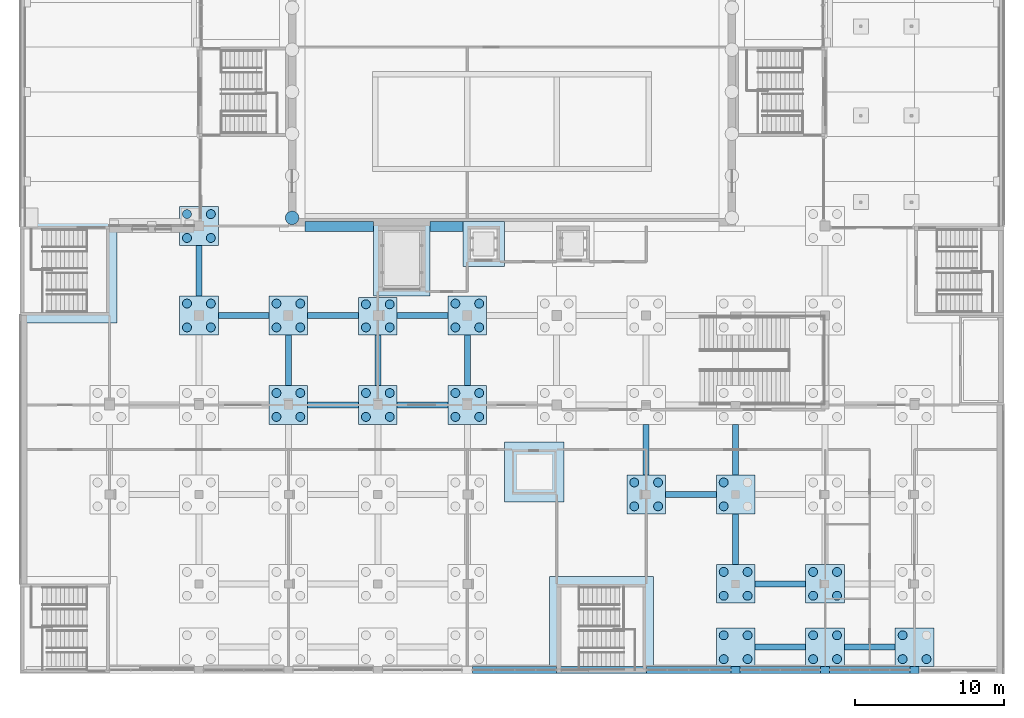
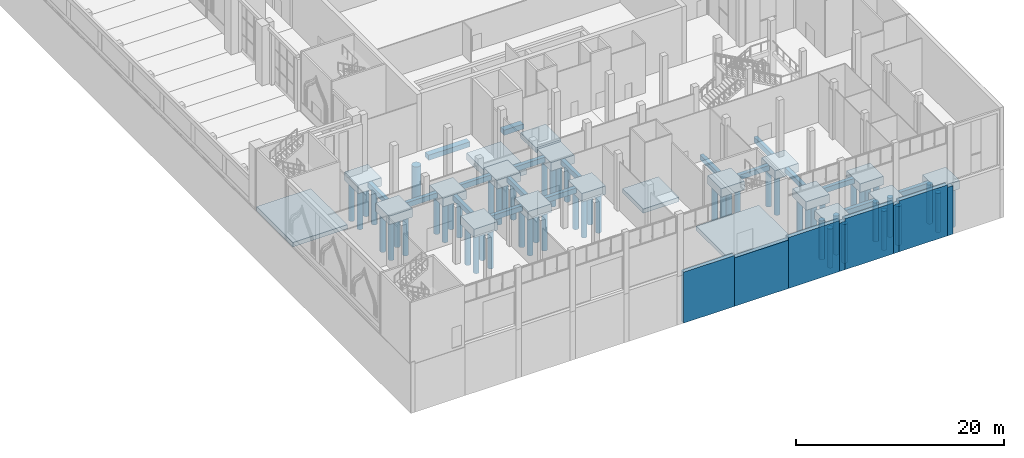
# One storey, part 2 of 95: 58 piles, 46 footings.
"""IFC4 building model written with IfcOpenShell, lengths in metres."""

from ifc_helpers import new_model, si_unit, direction, frame, origin, origin_2d, place, context, subcontext, project, spatial, polyline, circle, outline, extrude, material, material_profile, profile_set, type_object, element, save


model = new_model("IFC4")

# Units and contexts
model_context = context("Model", 3, precision=1e-05, world=origin(), true_north=direction((0.0, 1.0)))
body_context = subcontext(model_context, "Body", "Model", "MODEL_VIEW")
ifc_project = project(units=[si_unit("LENGTHUNIT", "METRE"), si_unit("AREAUNIT", "SQUARE_METRE"), si_unit("VOLUMEUNIT", "CUBIC_METRE"), si_unit("PLANEANGLEUNIT", "RADIAN"), si_unit("MASSUNIT", "GRAM", prefix="KILO")], contexts=[model_context])

# Site, building, storey
site_placement = place(None, origin())
site = spatial("IfcSite", under=ifc_project, at=site_placement, CompositionType="ELEMENT")
building_placement = place(site_placement, origin())
building = spatial("IfcBuilding", under=site, at=building_placement, Name="Saffron Lane Theatres", CompositionType="ELEMENT")
storey_placement = place(building_placement, origin())
storey = spatial("IfcBuildingStorey", under=building, at=storey_placement, Name="L00", CompositionType="ELEMENT", Elevation=0.0)

# Footings
ifc_material_1 = material(Name="Concrete N40 (40 MPa)", Category="concrete")
footing_type_1 = type_object("IfcFootingType", Name="FT-CAP 2600x2500x1000", PredefinedType="PILE_CAP", material=ifc_material_1)
footing_1_placement = place(storey_placement, frame((0.0, 0.0, -1.300048828125)))
element("IfcFooting", 1, at=footing_1_placement, inside=storey, type_object=footing_type_1, Name="foot-cap-E5", PredefinedType="PILE_CAP", context=body_context, shape_type="SweptSolid", body=[
    extrude(outline(polyline([(22.699951171875, 22.699951171875), (25.300048828125, 22.699951171875), (25.300048828125, 25.199951171875), (22.699951171875, 25.199951171875), (22.699951171875, 22.699951171875)])), origin(), (0.0, 0.0, 1.0), 1.0),
])
ifc_material_2 = material(Name="Concrete N40 (40 MPa)", Category="concrete")
footing_type_2 = type_object("IfcFootingType", Name="FT-CAP 2600x2600x1000", PredefinedType="PILE_CAP", material=ifc_material_2)
footing_2_placement = place(storey_placement, frame((0.0, 0.0, -1.300048828125)))
element("IfcFooting", 2, at=footing_2_placement, inside=storey, type_object=footing_type_2, Name="foot-cap-J1", PredefinedType="PILE_CAP", context=body_context, shape_type="SweptSolid", body=[
    extrude(outline(polyline([(46.699951171875, 0.450439453125), (49.300048828125, 0.450439453125), (49.300048828125, 3.050537109375), (46.699951171875, 3.050537109375), (46.699951171875, 0.450439453125)])), origin(), (0.0, 0.0, 1.0), 1.0),
])
footing_3_placement = place(storey_placement, frame((0.0, 0.0, -1.300048828125)))
element("IfcFooting", 3, at=footing_3_placement, inside=storey, type_object=footing_type_2, Name="foot-cap-K1", PredefinedType="PILE_CAP", context=body_context, shape_type="SweptSolid", body=[
    extrude(outline(polyline([(52.699951171875, 0.450439453125), (55.300048828125, 0.450439453125), (55.300048828125, 3.050537109375), (52.699951171875, 3.050537109375), (52.699951171875, 0.450439453125)])), origin(), (0.0, 0.0, 1.0), 1.0),
])
footing_4_placement = place(storey_placement, frame((0.0, 0.0, -1.300048828125)))
element("IfcFooting", 4, at=footing_4_placement, inside=storey, type_object=footing_type_2, Name="foot-cap-L1", PredefinedType="PILE_CAP", context=body_context, shape_type="SweptSolid", body=[
    extrude(outline(polyline([(58.699951171875, 0.450439453125), (61.300048828125, 0.450439453125), (61.300048828125, 3.050537109375), (58.699951171875, 3.050537109375), (58.699951171875, 0.450439453125)])), origin(), (0.0, 0.0, 1.0), 1.0),
])
footing_5_placement = place(storey_placement, frame((0.0, 0.0, -1.300048828125)))
element("IfcFooting", 5, at=footing_5_placement, inside=storey, type_object=footing_type_2, Name="foot-cap-J2", PredefinedType="PILE_CAP", context=body_context, shape_type="SweptSolid", body=[
    extrude(outline(polyline([(46.699951171875, 4.699951171875), (49.300048828125, 4.699951171875), (49.300048828125, 7.300048828125), (46.699951171875, 7.300048828125), (46.699951171875, 4.699951171875)])), origin(), (0.0, 0.0, 1.0), 1.0),
])
footing_6_placement = place(storey_placement, frame((0.0, 0.0, -1.300048828125)))
element("IfcFooting", 6, at=footing_6_placement, inside=storey, type_object=footing_type_2, Name="foot-cap-K2", PredefinedType="PILE_CAP", context=body_context, shape_type="SweptSolid", body=[
    extrude(outline(polyline([(52.699951171875, 4.699951171875), (55.300048828125, 4.699951171875), (55.300048828125, 7.300048828125), (52.699951171875, 7.300048828125), (52.699951171875, 4.699951171875)])), origin(), (0.0, 0.0, 1.0), 1.0),
])
footing_7_placement = place(storey_placement, frame((0.0, 0.0, -1.300048828125)))
element("IfcFooting", 7, at=footing_7_placement, inside=storey, type_object=footing_type_2, Name="foot-cap-H3", PredefinedType="PILE_CAP", context=body_context, shape_type="SweptSolid", body=[
    extrude(outline(polyline([(40.699951171875, 10.699951171875), (43.300048828125, 10.699951171875), (43.300048828125, 13.300048828125), (40.699951171875, 13.300048828125), (40.699951171875, 10.699951171875)])), origin(), (0.0, 0.0, 1.0), 1.0),
])
footing_8_placement = place(storey_placement, frame((0.0, 0.0, -1.300048828125)))
element("IfcFooting", 8, at=footing_8_placement, inside=storey, type_object=footing_type_2, Name="foot-cap-J3", PredefinedType="PILE_CAP", context=body_context, shape_type="SweptSolid", body=[
    extrude(outline(polyline([(46.699951171875, 10.699951171875), (49.300048828125, 10.699951171875), (49.300048828125, 13.300048828125), (46.699951171875, 13.300048828125), (46.699951171875, 10.699951171875)])), origin(), (0.0, 0.0, 1.0), 1.0),
])
footing_9_placement = place(storey_placement, frame((0.0, 0.0, -1.300048828125)))
element("IfcFooting", 9, at=footing_9_placement, inside=storey, type_object=footing_type_2, Name="foot-cap-D4", PredefinedType="PILE_CAP", context=body_context, shape_type="SweptSolid", body=[
    extrude(outline(polyline([(16.699951171875, 16.699951171875), (19.300048828125, 16.699951171875), (19.300048828125, 19.300048828125), (16.699951171875, 19.300048828125), (16.699951171875, 16.699951171875)])), origin(), (0.0, 0.0, 1.0), 1.0),
])
footing_10_placement = place(storey_placement, frame((0.0, 0.0, -1.300048828125)))
element("IfcFooting", 10, at=footing_10_placement, inside=storey, type_object=footing_type_2, Name="foot-cap-E4", PredefinedType="PILE_CAP", context=body_context, shape_type="SweptSolid", body=[
    extrude(outline(polyline([(22.699951171875, 16.699951171875), (25.300048828125, 16.699951171875), (25.300048828125, 19.300048828125), (22.699951171875, 19.300048828125), (22.699951171875, 16.699951171875)])), origin(), (0.0, 0.0, 1.0), 1.0),
])
footing_11_placement = place(storey_placement, frame((0.0, 0.0, -1.300048828125)))
element("IfcFooting", 11, at=footing_11_placement, inside=storey, type_object=footing_type_2, Name="foot-cap-F4", PredefinedType="PILE_CAP", context=body_context, shape_type="SweptSolid", body=[
    extrude(outline(polyline([(28.699951171875, 16.699951171875), (31.300048828125, 16.699951171875), (31.300048828125, 19.300048828125), (28.699951171875, 19.300048828125), (28.699951171875, 16.699951171875)])), origin(), (0.0, 0.0, 1.0), 1.0),
])
footing_12_placement = place(storey_placement, frame((0.0, 0.0, -1.300048828125)))
element("IfcFooting", 12, at=footing_12_placement, inside=storey, type_object=footing_type_2, Name="foot-cap-C5", PredefinedType="PILE_CAP", context=body_context, shape_type="SweptSolid", body=[
    extrude(outline(polyline([(10.699951171875, 22.699951171875), (13.300048828125, 22.699951171875), (13.300048828125, 25.300048828125), (10.699951171875, 25.300048828125), (10.699951171875, 22.699951171875)])), origin(), (0.0, 0.0, 1.0), 1.0),
])
footing_13_placement = place(storey_placement, frame((0.0, 0.0, -1.300048828125)))
element("IfcFooting", 13, at=footing_13_placement, inside=storey, type_object=footing_type_2, Name="foot-cap-D5", PredefinedType="PILE_CAP", context=body_context, shape_type="SweptSolid", body=[
    extrude(outline(polyline([(16.699951171875, 22.699951171875), (19.300048828125, 22.699951171875), (19.300048828125, 25.300048828125), (16.699951171875, 25.300048828125), (16.699951171875, 22.699951171875)])), origin(), (0.0, 0.0, 1.0), 1.0),
])
footing_14_placement = place(storey_placement, frame((0.0, 0.0, -1.300048828125)))
element("IfcFooting", 14, at=footing_14_placement, inside=storey, type_object=footing_type_2, Name="foot-cap-F5", PredefinedType="PILE_CAP", context=body_context, shape_type="SweptSolid", body=[
    extrude(outline(polyline([(28.699951171875, 22.699951171875), (31.300048828125, 22.699951171875), (31.300048828125, 25.300048828125), (28.699951171875, 25.300048828125), (28.699951171875, 22.699951171875)])), origin(), (0.0, 0.0, 1.0), 1.0),
])
footing_15_placement = place(storey_placement, frame((0.0, 0.0, -1.300048828125)))
element("IfcFooting", 15, at=footing_15_placement, inside=storey, type_object=footing_type_2, Name="foot-cap-C6", PredefinedType="PILE_CAP", context=body_context, shape_type="SweptSolid", body=[
    extrude(outline(polyline([(10.699951171875, 28.699951171875), (13.300048828125, 28.699951171875), (13.300048828125, 31.300048828125), (10.699951171875, 31.300048828125), (10.699951171875, 28.699951171875)])), origin(), (0.0, 0.0, 1.0), 1.0),
])
ifc_material_3 = material(Name="Concrete N40 (40 MPa)", Category="concrete")
footing_type_3 = type_object("IfcFootingType", Name="FT-KERB PERIMETER 450", PredefinedType="STRIP_FOOTING", material=ifc_material_3)
footing_16_placement = place(storey_placement, frame((0.0, 0.0, -6.0)))
element("IfcFooting", 16, at=footing_16_placement, inside=storey, type_object=footing_type_3, Name="Perimeter foundation wall", PredefinedType="STRIP_FOOTING", context=body_context, shape_type="SweptSolid", body=[
    extrude(outline(polyline([(30.35498046875, 0.450439453125), (30.35498046875, 0.00048828125), (35.9951171875, 0.00048828125), (35.9951171875, 0.450439453125), (30.35498046875, 0.450439453125)])), origin(), (0.0, 0.0, 1.0), 6.0),
])
footing_17_placement = place(storey_placement, frame((0.0, 0.0, -6.0)))
element("IfcFooting", 17, at=footing_17_placement, inside=storey, type_object=footing_type_3, Name="Perimeter foundation wall", PredefinedType="STRIP_FOOTING", context=body_context, shape_type="SweptSolid", body=[
    extrude(outline(polyline([(42.0048828125, 0.450439453125), (42.0048828125, 0.00048828125), (47.695068359375, 0.00048828125), (47.695068359375, 0.450439453125), (42.0048828125, 0.450439453125)])), origin(), (0.0, 0.0, 1.0), 6.0),
])
footing_18_placement = place(storey_placement, frame((0.0, 0.0, -6.0)))
element("IfcFooting", 18, at=footing_18_placement, inside=storey, type_object=footing_type_3, Name="Perimeter foundation wall", PredefinedType="STRIP_FOOTING", context=body_context, shape_type="SweptSolid", body=[
    extrude(outline(polyline([(48.304931640625, 0.450439453125), (48.304931640625, 0.00048828125), (53.695068359375, 0.00048828125), (53.695068359375, 0.450439453125), (48.304931640625, 0.450439453125)])), origin(), (0.0, 0.0, 1.0), 6.0),
])
footing_19_placement = place(storey_placement, frame((0.0, 0.0, -6.0)))
element("IfcFooting", 19, at=footing_19_placement, inside=storey, type_object=footing_type_3, Name="Perimeter foundation wall", PredefinedType="STRIP_FOOTING", context=body_context, shape_type="SweptSolid", body=[
    extrude(outline(polyline([(54.304931640625, 0.450439453125), (54.304931640625, 0.00048828125), (59.695068359375, 0.00048828125), (59.695068359375, 0.450439453125), (54.304931640625, 0.450439453125)])), origin(), (0.0, 0.0, 1.0), 6.0),
])

# Piles
ifc_material_4 = material(Name="Concrete N40 (40 MPa)", Category="concrete")
ifc_material_profile_1 = material_profile(ifc_material_4, circle(Radius=0.300048828125, at=origin_2d()))
ifc_profile_set_1 = profile_set([ifc_material_profile_1], Name="Concrete N40 (40 MPa)")
pile_type_1 = type_object("IfcPileType", Name="FT-PILE BORED 600", PredefinedType="BORED", material=ifc_profile_set_1)
for number, where, z_axis, x_axis, name in (
    (20, (47.199951171875, 0.950439453125, -1.199951171875), (0.0, 0.0, -1.0), (1.0, 0.0, 0.0), "pile-J1-1"),
    (21, (47.199951171875, 2.550537109375, -1.199951171875), (0.0, 0.0, -1.0), (1.0, 0.0, 0.0), "pile-J1-2"),
    (22, (48.800048828125, 0.950439453125, -1.199951171875), (0.0, 0.0, -1.0), (1.0, 0.0, 0.0), "pile-J1-3"),
    (23, (48.800048828125, 2.550537109375, -1.199951171875), (0.0, 0.0, -1.0), (1.0, 0.0, 0.0), "pile-J1-4"),
    (24, (53.199951171875, 0.950439453125, -1.199951171875), (0.0, 0.0, -1.0), (1.0, 0.0, 0.0), "pile-K1-1"),
    (25, (53.199951171875, 2.550537109375, -1.199951171875), (0.0, 0.0, -1.0), (1.0, 0.0, 0.0), "pile-K1-2"),
    (26, (54.800048828125, 0.950439453125, -1.199951171875), (0.0, 0.0, -1.0), (1.0, 0.0, 0.0), "pile-K1-3"),
    (27, (54.800048828125, 2.550537109375, -1.199951171875), (0.0, 0.0, -1.0), (1.0, 0.0, 0.0), "pile-K1-4"),
    (28, (59.199951171875, 0.950439453125, -1.199951171875), (0.0, 0.0, -1.0), (1.0, 0.0, 0.0), "pile-L1-1"),
    (29, (59.199951171875, 2.550537109375, -1.199951171875), (0.0, 0.0, -1.0), (1.0, 0.0, 0.0), "pile-L1-2"),
    (30, (60.800048828125, 0.950439453125, -1.199951171875), (0.0, 0.0, -1.0), (1.0, 0.0, 0.0), "pile-L1-3"),
    (31, (47.199951171875, 5.199951171875, -1.199951171875), (0.0, 0.0, -1.0), (1.0, 0.0, 0.0), "pile-J2-1"),
    (32, (47.199951171875, 6.800048828125, -1.199951171875), (0.0, 0.0, -1.0), (1.0, 0.0, 0.0), "pile-J2-2"),
    (33, (48.800048828125, 5.199951171875, -1.199951171875), (0.0, 0.0, -1.0), (1.0, 0.0, 0.0), "pile-J2-3"),
    (34, (48.800048828125, 6.800048828125, -1.199951171875), (0.0, 0.0, -1.0), (1.0, 0.0, 0.0), "pile-J2-4"),
    (35, (53.199951171875, 5.199951171875, -1.199951171875), (0.0, 0.0, -1.0), (1.0, 0.0, 0.0), "pile-K2-1"),
    (36, (53.199951171875, 6.800048828125, -1.199951171875), (0.0, 0.0, -1.0), (1.0, 0.0, 0.0), "pile-K2-2"),
    (37, (54.800048828125, 5.199951171875, -1.199951171875), (0.0, 0.0, -1.0), (1.0, 0.0, 0.0), "pile-K2-3"),
    (38, (54.800048828125, 6.800048828125, -1.199951171875), (0.0, 0.0, -1.0), (1.0, 0.0, 0.0), "pile-K2-4"),
    (39, (41.199951171875, 11.199951171875, -1.199951171875), (0.0, 0.0, -1.0), (1.0, 0.0, 0.0), "pile-H3-1"),
    (40, (41.199951171875, 12.800048828125, -1.199951171875), (0.0, 0.0, -1.0), (1.0, 0.0, 0.0), "pile-H3-2"),
    (41, (42.800048828125, 11.199951171875, -1.199951171875), (0.0, 0.0, -1.0), (1.0, 0.0, 0.0), "pile-H3-3"),
    (42, (42.800048828125, 12.800048828125, -1.199951171875), (0.0, 0.0, -1.0), (1.0, 0.0, 0.0), "pile-H3-4"),
    (43, (47.199951171875, 11.199951171875, -1.199951171875), (0.0, 0.0, -1.0), (1.0, 0.0, 0.0), "pile-J3-1"),
    (44, (47.199951171875, 12.800048828125, -1.199951171875), (0.0, 0.0, -1.0), (1.0, 0.0, 0.0), "pile-J3-2"),
    (45, (17.199951171875, 17.199951171875, -1.199951171875), (0.0, 0.0, -1.0), (1.0, 0.0, 0.0), "pile-D4-1"),
    (46, (17.199951171875, 18.800048828125, -1.199951171875), (0.0, 0.0, -1.0), (1.0, 0.0, 0.0), "pile-D4-2"),
    (47, (18.800048828125, 17.199951171875, -1.199951171875), (0.0, 0.0, -1.0), (1.0, 0.0, 0.0), "pile-D4-3"),
    (48, (18.800048828125, 18.800048828125, -1.199951171875), (0.0, 0.0, -1.0), (1.0, 0.0, 0.0), "pile-D4-4"),
    (49, (23.199951171875, 17.199951171875, -1.199951171875), (0.0, 0.0, -1.0), (1.0, 0.0, 0.0), "pile-E4-1"),
    (50, (23.199951171875, 18.800048828125, -1.199951171875), (0.0, 0.0, -1.0), (1.0, 0.0, 0.0), "pile-E4-2"),
    (51, (24.800048828125, 17.199951171875, -1.199951171875), (0.0, 0.0, -1.0), (1.0, 0.0, 0.0), "pile-E4-3"),
    (52, (24.800048828125, 18.800048828125, -1.199951171875), (0.0, 0.0, -1.0), (1.0, 0.0, 0.0), "pile-E4-4"),
    (53, (29.199951171875, 17.199951171875, -1.199951171875), (0.0, 0.0, -1.0), (1.0, 0.0, 0.0), "pile-F4-1"),
    (54, (29.199951171875, 18.800048828125, -1.199951171875), (0.0, 0.0, -1.0), (1.0, 0.0, 0.0), "pile-F4-2"),
    (55, (30.800048828125, 17.199951171875, -1.199951171875), (0.0, 0.0, -1.0), (1.0, 0.0, 0.0), "pile-F4-3"),
    (56, (30.800048828125, 18.800048828125, -1.199951171875), (0.0, 0.0, -1.0), (1.0, 0.0, 0.0), "pile-F4-4"),
    (57, (11.199951171875, 23.199951171875, -1.199951171875), (0.0, 0.0, -1.0), (1.0, 0.0, 0.0), "pile-C5-1"),
    (58, (11.199951171875, 24.800048828125, -1.199951171875), (0.0, 0.0, -1.0), (1.0, 0.0, 0.0), "pile-C5-2"),
    (59, (12.800048828125, 23.199951171875, -1.199951171875), (0.0, 0.0, -1.0), (1.0, 0.0, 0.0), "pile-C5-3"),
    (60, (12.800048828125, 24.800048828125, -1.199951171875), (0.0, 0.0, -1.0), (1.0, 0.0, 0.0), "pile-C5-4"),
    (61, (17.199951171875, 23.199951171875, -1.199951171875), (0.0, 0.0, -1.0), (1.0, 0.0, 0.0), "pile-D5-1"),
    (62, (17.199951171875, 24.800048828125, -1.199951171875), (0.0, 0.0, -1.0), (1.0, 0.0, 0.0), "pile-D5-2"),
    (63, (18.800048828125, 23.199951171875, -1.199951171875), (0.0, 0.0, -1.0), (1.0, 0.0, 0.0), "pile-D5-3"),
    (64, (18.800048828125, 24.800048828125, -1.199951171875), (0.0, 0.0, -1.0), (1.0, 0.0, 0.0), "pile-D5-4"),
    (65, (23.199951171875, 23.199951171875, -1.199951171875), (0.0, 0.0, -1.0), (1.0, 0.0, 0.0), "pile-E5-1"),
    (66, (23.199951171875, 24.75, -1.199951171875), (0.0, 0.0, -1.0), (1.0, 0.0, 0.0), "pile-E5-2"),
    (67, (24.800048828125, 23.199951171875, -1.199951171875), (0.0, 0.0, -1.0), (1.0, 0.0, 0.0), "pile-E5-3"),
    (68, (24.800048828125, 24.75, -1.199951171875), (0.0, 0.0, -1.0), (1.0, 0.0, 0.0), "pile-E5-4"),
    (69, (29.199951171875, 23.199951171875, -1.199951171875), (0.0, 0.0, -1.0), (1.0, 0.0, 0.0), "pile-F5-1"),
    (70, (29.199951171875, 24.800048828125, -1.199951171875), (0.0, 0.0, -1.0), (1.0, 0.0, 0.0), "pile-F5-2"),
    (71, (30.800048828125, 23.199951171875, -1.199951171875), (0.0, 0.0, -1.0), (1.0, 0.0, 0.0), "pile-F5-3"),
    (72, (30.800048828125, 24.800048828125, -1.199951171875), (0.0, 0.0, -1.0), (1.0, 0.0, 0.0), "pile-F5-4"),
    (73, (11.199951171875, 29.199951171875, -1.199951171875), (0.0, 0.0, -1.0), (1.0, 0.0, 0.0), "pile-C6-1"),
    (74, (11.199951171875, 30.800048828125, -1.199951171875), (0.0, 0.0, -1.0), (1.0, 0.0, 0.0), "pile-C6-2"),
    (75, (12.800048828125, 29.199951171875, -1.199951171875), (0.0, 0.0, -1.0), (1.0, 0.0, 0.0), "pile-C6-3"),
    (76, (12.800048828125, 30.800048828125, -1.199951171875), (0.0, 0.0, -1.0), (1.0, 0.0, 0.0), "pile-C6-4"),
):
    element("IfcPile", number, at=place(storey_placement, frame(where, z_axis=z_axis, x_axis=x_axis)), inside=storey, type_object=pile_type_1, Name=name, PredefinedType="BORED", context=body_context, shape_type="SweptSolid", body=[
        extrude(circle(Radius=0.300048828125, at=origin_2d()), origin(), (0.0, 0.0, 1.0), 4.60009765625),
    ])
ifc_material_5 = material(Name="Concrete N40 (40 MPa)", Category="concrete")
ifc_material_profile_2 = material_profile(ifc_material_5, circle(Radius=0.449951171875, at=origin_2d()))
ifc_profile_set_2 = profile_set([ifc_material_profile_2], Name="Concrete N40 (40 MPa)")
pile_type_2 = type_object("IfcPileType", Name="FT-PILE BORED 900", PredefinedType="BORED", material=ifc_profile_set_2)
pile_placement = place(storey_placement, frame((18.25, 30.550048828125, -1.60009765625), z_axis=(0.0, 0.0, -1.0), x_axis=(1.0, 0.0, 0.0)))
element("IfcPile", 77, at=pile_placement, inside=storey, type_object=pile_type_2, Name="pile-foot-cap-stage-W-1", PredefinedType="BORED", context=body_context, shape_type="SweptSolid", body=[
    extrude(circle(Radius=0.449951171875, at=origin_2d()), origin(), (0.0, 0.0, 1.0), 4.199951171875),
])

# Footings
ifc_material_6 = material(Name="Concrete N40 (40 MPa)", Category="concrete")
footing_type_4 = type_object("IfcFootingType", Name="FT-RAFT CORE 500", PredefinedType="PAD_FOOTING", material=ifc_material_6)
footing_20_placement = place(storey_placement, frame((0.0, 0.0, -0.800048828125)))
element("IfcFooting", 78, at=footing_20_placement, inside=storey, type_object=footing_type_4, Name="foot-raft-2", PredefinedType="PAD_FOOTING", context=body_context, shape_type="SweptSolid", body=[
    extrude(outline(polyline([(35.5, 0.450439453125), (42.5, 0.450439453125), (42.5, 6.5), (35.5, 6.5), (35.5, 0.450439453125)])), origin(), (0.0, 0.0, 1.0), 0.5),
])
footing_21_placement = place(storey_placement, frame((0.0, 0.0, -0.800048828125)))
element("IfcFooting", 79, at=footing_21_placement, inside=storey, type_object=footing_type_4, Name="foot-raft-3", PredefinedType="PAD_FOOTING", context=body_context, shape_type="SweptSolid", body=[
    extrude(outline(polyline([(32.5, 11.5), (36.5, 11.5), (36.5, 15.5), (32.5, 15.5), (32.5, 11.5)])), origin(), (0.0, 0.0, 1.0), 0.5),
])
footing_22_placement = place(storey_placement, frame((0.0, 0.0, -0.800048828125)))
element("IfcFooting", 80, at=footing_22_placement, inside=storey, type_object=footing_type_4, Name="foot-raft-6", PredefinedType="PAD_FOOTING", context=body_context, shape_type="SweptSolid", body=[
    extrude(outline(polyline([(6.5, 30.5), (0.450439453125, 30.5), (0.450439453125, 23.5), (6.5, 23.5), (6.5, 30.5)])), origin(), (0.0, 0.0, 1.0), 0.5),
])
ifc_material_7 = material(Name="Concrete N40 (40 MPa)", Category="concrete")
footing_type_5 = type_object("IfcFootingType", Name="FT-RAFT PIT 600", PredefinedType="PAD_FOOTING", material=ifc_material_7)
footing_23_placement = place(storey_placement, frame((0.0, 0.0, -2.300048828125)))
element("IfcFooting", 81, at=footing_23_placement, inside=storey, type_object=footing_type_5, Name="foot-pit-LC5", PredefinedType="PAD_FOOTING", context=body_context, shape_type="SweptSolid", body=[
    extrude(outline(polyline([(29.699951171875, 30.300048828125), (29.699951171875, 27.300048828125), (32.5, 27.300048828125), (32.5, 30.300048828125), (29.699951171875, 30.300048828125)])), origin(), (0.0, 0.0, 1.0), 0.60009765625),
])
ifc_material_8 = material(Name="Concrete N40 (40 MPa)", Category="concrete")
footing_type_6 = type_object("IfcFootingType", Name="FT-RAFT PIT 800", PredefinedType="PAD_FOOTING", material=ifc_material_8)
footing_24_placement = place(storey_placement, frame((0.0, 0.0, -2.800048828125)))
element("IfcFooting", 82, at=footing_24_placement, inside=storey, type_object=footing_type_6, Name="foot-pit-LG1", PredefinedType="PAD_FOOTING", context=body_context, shape_type="SweptSolid", body=[
    extrude(outline(polyline([(23.699951171875, 30.300048828125), (23.699951171875, 25.300048828125), (27.5, 25.300048828125), (27.5, 30.300048828125), (23.699951171875, 30.300048828125)])), origin(), (0.0, 0.0, 1.0), 0.800048828125),
])
ifc_material_9 = material(Name="Concrete N40 (40 MPa)", Category="concrete")
footing_type_7 = type_object("IfcFootingType", Name="FT-STRIP 1200x600", PredefinedType="STRIP_FOOTING", material=ifc_material_9)
footing_25_placement = place(storey_placement, frame((0.0, 0.0, -0.89990234375)))
element("IfcFooting", 83, at=footing_25_placement, inside=storey, type_object=footing_type_7, Name="foot-strip-back-3", PredefinedType="STRIP_FOOTING", context=body_context, shape_type="SweptSolid", body=[
    extrude(outline(polyline([(27.5, 29.64990234375), (29.699951171875, 29.64990234375), (29.699951171875, 30.300048828125), (27.5, 30.300048828125), (27.5, 29.64990234375)])), origin(), (0.0, 0.0, 1.0), 0.599853515625),
])
footing_26_placement = place(storey_placement, frame((0.0, 0.0, -0.89990234375)))
element("IfcFooting", 84, at=footing_26_placement, inside=storey, type_object=footing_type_7, Name="foot-strip-back-4", PredefinedType="STRIP_FOOTING", context=body_context, shape_type="SweptSolid", body=[
    extrude(outline(polyline([(19.10009765625, 29.64990234375), (23.699951171875, 29.64990234375), (23.699951171875, 30.300048828125), (19.10009765625, 30.300048828125), (19.10009765625, 29.64990234375)])), origin(), (0.0, 0.0, 1.0), 0.599853515625),
])
ifc_material_10 = material(Name="Concrete N40 (40 MPa)", Category="concrete")
footing_type_8 = type_object("IfcFootingType", Name="FT-TIE BEAM 400x600", PredefinedType="FOOTING_BEAM", material=ifc_material_10)
footing_27_placement = place(storey_placement, frame((0.0, 0.0, -0.89990234375)))
element("IfcFooting", 85, at=footing_27_placement, inside=storey, type_object=footing_type_8, Name="foot-tie-004", PredefinedType="FOOTING_BEAM", context=body_context, shape_type="SweptSolid", body=[
    extrude(outline(polyline([(49.300048828125, 1.550537109375), (52.699951171875, 1.550537109375), (52.699951171875, 1.950439453125), (49.300048828125, 1.950439453125), (49.300048828125, 1.550537109375)])), origin(), (0.0, 0.0, 1.0), 0.599853515625),
])
footing_28_placement = place(storey_placement, frame((0.0, 0.0, -0.89990234375)))
element("IfcFooting", 86, at=footing_28_placement, inside=storey, type_object=footing_type_8, Name="foot-tie-005", PredefinedType="FOOTING_BEAM", context=body_context, shape_type="SweptSolid", body=[
    extrude(outline(polyline([(55.300048828125, 1.550537109375), (58.699951171875, 1.550537109375), (58.699951171875, 1.950439453125), (55.300048828125, 1.950439453125), (55.300048828125, 1.550537109375)])), origin(), (0.0, 0.0, 1.0), 0.599853515625),
])
footing_29_placement = place(storey_placement, frame((0.0, 0.0, -0.89990234375)))
element("IfcFooting", 87, at=footing_29_placement, inside=storey, type_object=footing_type_8, Name="foot-tie-013", PredefinedType="FOOTING_BEAM", context=body_context, shape_type="SweptSolid", body=[
    extrude(outline(polyline([(49.300048828125, 5.800048828125), (52.699951171875, 5.800048828125), (52.699951171875, 6.199951171875), (49.300048828125, 6.199951171875), (49.300048828125, 5.800048828125)])), origin(), (0.0, 0.0, 1.0), 0.599853515625),
])
footing_30_placement = place(storey_placement, frame((0.0, 0.0, -0.89990234375)))
element("IfcFooting", 88, at=footing_30_placement, inside=storey, type_object=footing_type_8, Name="foot-tie-014", PredefinedType="FOOTING_BEAM", context=body_context, shape_type="SweptSolid", body=[
    extrude(outline(polyline([(47.800048828125, 7.300048828125), (48.199951171875, 7.300048828125), (48.199951171875, 10.699951171875), (47.800048828125, 10.699951171875), (47.800048828125, 7.300048828125)])), origin(), (0.0, 0.0, 1.0), 0.599853515625),
])
footing_31_placement = place(storey_placement, frame((0.0, 0.0, -0.89990234375)))
element("IfcFooting", 89, at=footing_31_placement, inside=storey, type_object=footing_type_8, Name="foot-tie-027", PredefinedType="FOOTING_BEAM", context=body_context, shape_type="SweptSolid", body=[
    extrude(outline(polyline([(43.300048828125, 11.800048828125), (46.699951171875, 11.800048828125), (46.699951171875, 12.199951171875), (43.300048828125, 12.199951171875), (43.300048828125, 11.800048828125)])), origin(), (0.0, 0.0, 1.0), 0.599853515625),
])
footing_32_placement = place(storey_placement, frame((0.0, 0.0, -0.89990234375)))
element("IfcFooting", 90, at=footing_32_placement, inside=storey, type_object=footing_type_8, Name="foot-tie-028", PredefinedType="FOOTING_BEAM", context=body_context, shape_type="SweptSolid", body=[
    extrude(outline(polyline([(41.800048828125, 13.300048828125), (42.199951171875, 13.300048828125), (42.199951171875, 16.699951171875), (41.800048828125, 16.699951171875), (41.800048828125, 13.300048828125)])), origin(), (0.0, 0.0, 1.0), 0.599853515625),
])
footing_33_placement = place(storey_placement, frame((0.0, 0.0, -0.89990234375)))
element("IfcFooting", 91, at=footing_33_placement, inside=storey, type_object=footing_type_8, Name="foot-tie-030", PredefinedType="FOOTING_BEAM", context=body_context, shape_type="SweptSolid", body=[
    extrude(outline(polyline([(47.800048828125, 13.300048828125), (48.199951171875, 13.300048828125), (48.199951171875, 16.699951171875), (47.800048828125, 16.699951171875), (47.800048828125, 13.300048828125)])), origin(), (0.0, 0.0, 1.0), 0.599853515625),
])
footing_34_placement = place(storey_placement, frame((0.0, 0.0, -0.89990234375)))
element("IfcFooting", 92, at=footing_34_placement, inside=storey, type_object=footing_type_8, Name="foot-tie-037", PredefinedType="FOOTING_BEAM", context=body_context, shape_type="SweptSolid", body=[
    extrude(outline(polyline([(19.300048828125, 17.800048828125), (22.699951171875, 17.800048828125), (22.699951171875, 18.199951171875), (19.300048828125, 18.199951171875), (19.300048828125, 17.800048828125)])), origin(), (0.0, 0.0, 1.0), 0.599853515625),
])
footing_35_placement = place(storey_placement, frame((0.0, 0.0, -0.89990234375)))
element("IfcFooting", 93, at=footing_35_placement, inside=storey, type_object=footing_type_8, Name="foot-tie-038", PredefinedType="FOOTING_BEAM", context=body_context, shape_type="SweptSolid", body=[
    extrude(outline(polyline([(17.800048828125, 19.300048828125), (18.199951171875, 19.300048828125), (18.199951171875, 22.699951171875), (17.800048828125, 22.699951171875), (17.800048828125, 19.300048828125)])), origin(), (0.0, 0.0, 1.0), 0.599853515625),
])
footing_36_placement = place(storey_placement, frame((0.0, 0.0, -0.89990234375)))
element("IfcFooting", 94, at=footing_36_placement, inside=storey, type_object=footing_type_8, Name="foot-tie-039", PredefinedType="FOOTING_BEAM", context=body_context, shape_type="SweptSolid", body=[
    extrude(outline(polyline([(25.300048828125, 17.800048828125), (28.699951171875, 17.800048828125), (28.699951171875, 18.199951171875), (25.300048828125, 18.199951171875), (25.300048828125, 17.800048828125)])), origin(), (0.0, 0.0, 1.0), 0.599853515625),
])
footing_37_placement = place(storey_placement, frame((0.0, 0.0, -0.89990234375)))
element("IfcFooting", 95, at=footing_37_placement, inside=storey, type_object=footing_type_8, Name="foot-tie-040", PredefinedType="FOOTING_BEAM", context=body_context, shape_type="SweptSolid", body=[
    extrude(outline(polyline([(23.800048828125, 19.300048828125), (24.199951171875, 19.300048828125), (24.199951171875, 22.699951171875), (23.800048828125, 22.699951171875), (23.800048828125, 19.300048828125)])), origin(), (0.0, 0.0, 1.0), 0.599853515625),
])
footing_38_placement = place(storey_placement, frame((0.0, 0.0, -0.89990234375)))
element("IfcFooting", 96, at=footing_38_placement, inside=storey, type_object=footing_type_8, Name="foot-tie-042", PredefinedType="FOOTING_BEAM", context=body_context, shape_type="SweptSolid", body=[
    extrude(outline(polyline([(29.800048828125, 19.300048828125), (30.199951171875, 19.300048828125), (30.199951171875, 22.699951171875), (29.800048828125, 22.699951171875), (29.800048828125, 19.300048828125)])), origin(), (0.0, 0.0, 1.0), 0.599853515625),
])
footing_39_placement = place(storey_placement, frame((0.0, 0.0, -0.89990234375)))
element("IfcFooting", 97, at=footing_39_placement, inside=storey, type_object=footing_type_8, Name="foot-tie-051", PredefinedType="FOOTING_BEAM", context=body_context, shape_type="SweptSolid", body=[
    extrude(outline(polyline([(13.300048828125, 23.800048828125), (16.699951171875, 23.800048828125), (16.699951171875, 24.199951171875), (13.300048828125, 24.199951171875), (13.300048828125, 23.800048828125)])), origin(), (0.0, 0.0, 1.0), 0.599853515625),
])
footing_40_placement = place(storey_placement, frame((0.0, 0.0, -0.89990234375)))
element("IfcFooting", 98, at=footing_40_placement, inside=storey, type_object=footing_type_8, Name="foot-tie-052", PredefinedType="FOOTING_BEAM", context=body_context, shape_type="SweptSolid", body=[
    extrude(outline(polyline([(11.800048828125, 25.300048828125), (12.199951171875, 25.300048828125), (12.199951171875, 28.699951171875), (11.800048828125, 28.699951171875), (11.800048828125, 25.300048828125)])), origin(), (0.0, 0.0, 1.0), 0.599853515625),
])
footing_41_placement = place(storey_placement, frame((0.0, 0.0, -0.89990234375)))
element("IfcFooting", 99, at=footing_41_placement, inside=storey, type_object=footing_type_8, Name="foot-tie-053", PredefinedType="FOOTING_BEAM", context=body_context, shape_type="SweptSolid", body=[
    extrude(outline(polyline([(19.300048828125, 23.800048828125), (22.699951171875, 23.800048828125), (22.699951171875, 24.199951171875), (19.300048828125, 24.199951171875), (19.300048828125, 23.800048828125)])), origin(), (0.0, 0.0, 1.0), 0.599853515625),
])
footing_42_placement = place(storey_placement, frame((0.0, 0.0, -0.89990234375)))
element("IfcFooting", 100, at=footing_42_placement, inside=storey, type_object=footing_type_8, Name="foot-tie-054", PredefinedType="FOOTING_BEAM", context=body_context, shape_type="SweptSolid", body=[
    extrude(outline(polyline([(25.300048828125, 23.800048828125), (28.699951171875, 23.800048828125), (28.699951171875, 24.199951171875), (25.300048828125, 24.199951171875), (25.300048828125, 23.800048828125)])), origin(), (0.0, 0.0, 1.0), 0.599853515625),
])
ifc_material_11 = material(Name="Concrete N40 (40 MPa)", Category="concrete")
footing_type_9 = type_object("IfcFootingType", Name="FT-WALL PERIMETER 450", PredefinedType="STRIP_FOOTING", material=ifc_material_11)
footing_43_placement = place(storey_placement, frame((0.0, 0.0, -6.0)))
element("IfcFooting", 101, at=footing_43_placement, inside=storey, type_object=footing_type_9, Name="Perimeter foundation wall", PredefinedType="STRIP_FOOTING", context=body_context, shape_type="SweptSolid", body=[
    extrude(outline(polyline([(35.9951171875, 0.450439453125), (35.9951171875, 0.00048828125), (42.0048828125, 0.00048828125), (42.0048828125, 0.450439453125), (35.9951171875, 0.450439453125)])), origin(), (0.0, 0.0, 1.0), 5.699951171875),
])
footing_44_placement = place(storey_placement, frame((0.0, 0.0, -6.0)))
element("IfcFooting", 102, at=footing_44_placement, inside=storey, type_object=footing_type_9, Name="Perimeter foundation wall", PredefinedType="STRIP_FOOTING", context=body_context, shape_type="SweptSolid", body=[
    extrude(outline(polyline([(47.695068359375, 0.450439453125), (47.695068359375, 0.00048828125), (48.304931640625, 0.00048828125), (48.304931640625, 0.450439453125), (47.695068359375, 0.450439453125)])), origin(), (0.0, 0.0, 1.0), 5.699951171875),
])
footing_45_placement = place(storey_placement, frame((0.0, 0.0, -6.0)))
element("IfcFooting", 103, at=footing_45_placement, inside=storey, type_object=footing_type_9, Name="Perimeter foundation wall", PredefinedType="STRIP_FOOTING", context=body_context, shape_type="SweptSolid", body=[
    extrude(outline(polyline([(53.695068359375, 0.450439453125), (53.695068359375, 0.00048828125), (54.304931640625, 0.00048828125), (54.304931640625, 0.450439453125), (53.695068359375, 0.450439453125)])), origin(), (0.0, 0.0, 1.0), 5.699951171875),
])
footing_46_placement = place(storey_placement, frame((0.0, 0.0, -6.0)))
element("IfcFooting", 104, at=footing_46_placement, inside=storey, type_object=footing_type_9, Name="Perimeter foundation wall", PredefinedType="STRIP_FOOTING", context=body_context, shape_type="SweptSolid", body=[
    extrude(outline(polyline([(59.695068359375, 0.450439453125), (59.695068359375, 0.00048828125), (60.304931640625, 0.00048828125), (60.304931640625, 0.450439453125), (59.695068359375, 0.450439453125)])), origin(), (0.0, 0.0, 1.0), 5.699951171875),
])

save(model, "model.ifc")
